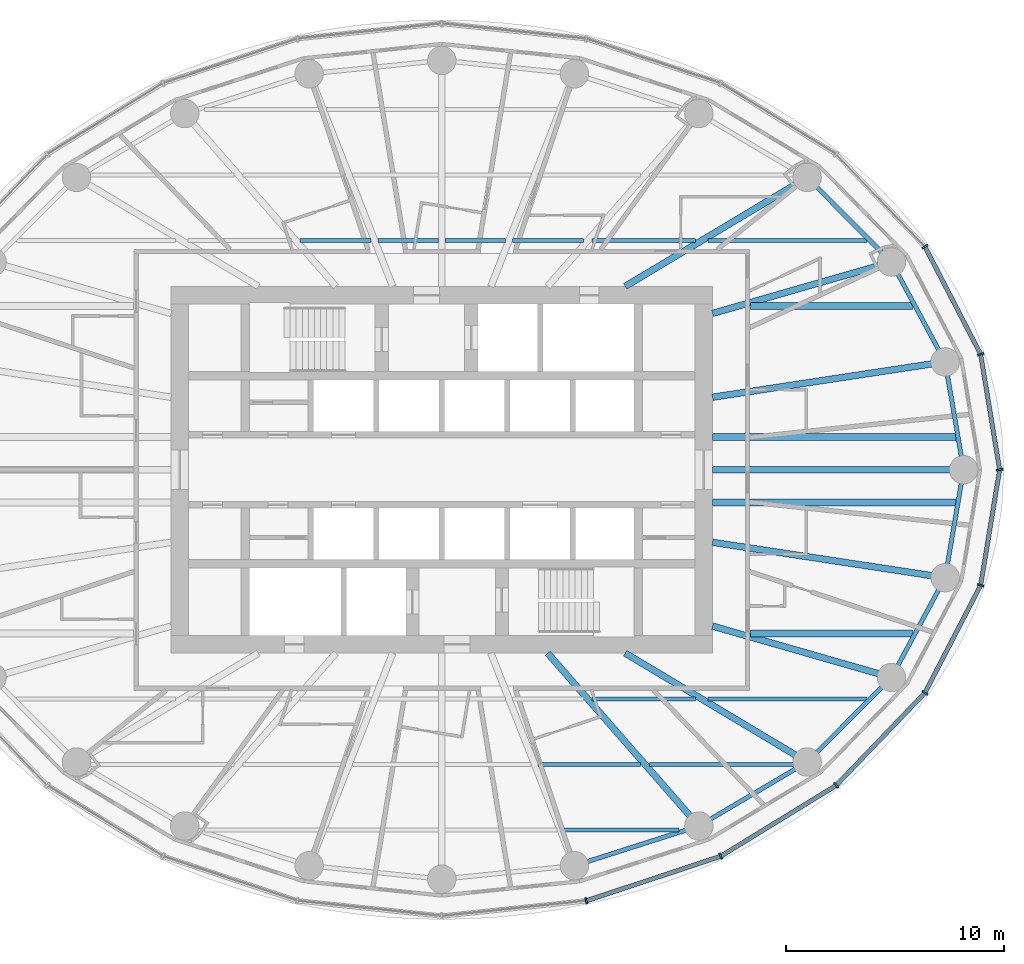
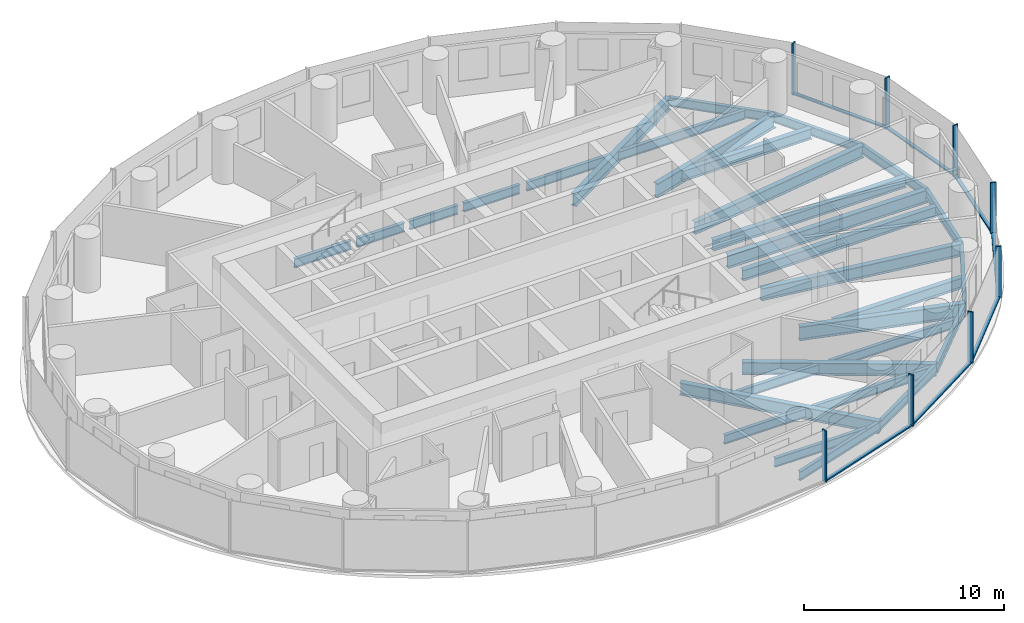
# One storey, part 3 of 13: 31 beams, 15 members, 2 elements without a shape of their own.
"""IFC4 building model written with IfcOpenShell, lengths in metres."""

from ifc_helpers import new_model, si_unit, direction, frame, origin, origin_2d, place, context, subcontext, project, spatial, rectangle, i_section, extrude, material, material_profile, profile_set, type_object, element, aggregate, save


model = new_model("IFC4")

# Units and contexts
model_context = context("Model", 3, precision=1e-05, world=origin(), true_north=direction((0.0, 1.0)))
body_context = subcontext(model_context, "Body", "Model", "MODEL_VIEW")
ifc_project = project(units=[si_unit("LENGTHUNIT", "METRE"), si_unit("AREAUNIT", "SQUARE_METRE"), si_unit("VOLUMEUNIT", "CUBIC_METRE"), si_unit("PLANEANGLEUNIT", "RADIAN"), si_unit("MASSUNIT", "GRAM", prefix="KILO")], contexts=[model_context])

# Site, building, storey
site_placement = place(None, origin())
site = spatial("IfcSite", under=ifc_project, at=site_placement, CompositionType="ELEMENT")
building_placement = place(site_placement, origin())
building = spatial("IfcBuilding", under=site, at=building_placement, Name="Hankou Lantern Tower", CompositionType="ELEMENT")
storey_placement = place(building_placement, frame((0.0, 0.0, 118.800048828125)))
storey = spatial("IfcBuildingStorey", under=building, at=storey_placement, Name="L30", CompositionType="ELEMENT", Elevation=118.800048828125)

# Beams
ifc_material_1 = material(Name="Steel Q355B", Category="steel")
ifc_material_profile_1 = material_profile(ifc_material_1, i_section(OverallWidth=0.199951171875, OverallDepth=0.550048828125, WebThickness=0.010009765625, FlangeThickness=0.01611328125, FilletRadius=0.012939453125, at=origin_2d()), Name="HN550x200x10x16")
ifc_profile_set_1 = profile_set([ifc_material_profile_1], Name="Steel Q355B")
beam_type_1 = type_object("IfcBeamType", Name="EB6 RING BEAM HN550x200x10x16", PredefinedType="SPANDREL", material=ifc_profile_set_1)
beam_1_placement = place(storey_placement, frame((23.89990234375, 0.0, -0.455078125), z_axis=(-0.168527258545, 0.985696993567, 0.0), x_axis=(-0.985696993567, -0.168527258545, 0.0)))
element("IfcBeam", 1, at=beam_1_placement, inside=storey, type_object=beam_type_1, Name="Ring beam R01-R02 L30", PredefinedType="SPANDREL", context=body_context, shape_type="SweptSolid", body=[
    extrude(i_section(OverallWidth=0.199951171875, OverallDepth=0.550048828125, WebThickness=0.010009765625, FlangeThickness=0.01611328125, FilletRadius=0.012939453125, at=origin_2d()), origin(), (0.0, 0.0, 1.0), 5.013916015625),
])
beam_2_placement = place(storey_placement, frame((23.054931640625, 4.942138671875, -0.455078125), z_axis=(-0.473824901673, 0.880619079145, 0.0), x_axis=(-0.880619079145, -0.473824901673, 0.0)))
element("IfcBeam", 2, at=beam_2_placement, inside=storey, type_object=beam_type_1, Name="Ring beam R02-R03 L30", PredefinedType="SPANDREL", context=body_context, shape_type="SweptSolid", body=[
    extrude(i_section(OverallWidth=0.199951171875, OverallDepth=0.550048828125, WebThickness=0.010009765625, FlangeThickness=0.01611328125, FilletRadius=0.012939453125, at=origin_2d()), origin(), (0.0, 0.0, 1.0), 5.190185546875),
])
beam_3_placement = place(storey_placement, frame((20.595703125, 9.5126953125, -0.455078125), z_axis=(-0.705945468625, 0.708266189599, 0.0), x_axis=(-0.708266189599, -0.705945468625, 0.0)))
element("IfcBeam", 3, at=beam_3_placement, inside=storey, type_object=beam_type_1, Name="Ring beam R03-R04 L30", PredefinedType="SPANDREL", context=body_context, shape_type="SweptSolid", body=[
    extrude(i_section(OverallWidth=0.199951171875, OverallDepth=0.550048828125, WebThickness=0.010009765625, FlangeThickness=0.01611328125, FilletRadius=0.012939453125, at=origin_2d()), origin(), (0.0, 0.0, 1.0), 5.470458984375),
])
beam_4_placement = place(storey_placement, frame((6.073974609375, -18.134521484375, -0.455078125), z_axis=(0.952731090451, 0.303814860215, 0.0), x_axis=(-0.303814860215, 0.952731090451, 0.0)))
element("IfcBeam", 4, at=beam_4_placement, inside=storey, type_object=beam_type_1, Name="Ring beam R20-R21 L30", PredefinedType="SPANDREL", context=body_context, shape_type="SweptSolid", body=[
    extrude(i_section(OverallWidth=0.199951171875, OverallDepth=0.550048828125, WebThickness=0.010009765625, FlangeThickness=0.01611328125, FilletRadius=0.012939453125, at=origin_2d()), origin(), (0.0, 0.0, 1.0), 5.984375),
])
beam_5_placement = place(storey_placement, frame((11.775390625, -16.31640625, -0.455078125), z_axis=(0.860988974188, 0.508623619513, 0.0), x_axis=(-0.508623619513, 0.860988974188, 0.0)))
element("IfcBeam", 5, at=beam_5_placement, inside=storey, type_object=beam_type_1, Name="Ring beam R21-R22 L30", PredefinedType="SPANDREL", context=body_context, shape_type="SweptSolid", body=[
    extrude(i_section(OverallWidth=0.199951171875, OverallDepth=0.550048828125, WebThickness=0.010009765625, FlangeThickness=0.01611328125, FilletRadius=0.012939453125, at=origin_2d()), origin(), (0.0, 0.0, 1.0), 5.759033203125),
])
beam_6_placement = place(storey_placement, frame((16.73388671875, -13.38720703125, -0.455078125), z_axis=(0.705945468625, 0.708266189599, 0.0), x_axis=(-0.708266189599, 0.705945468625, 0.0)))
element("IfcBeam", 6, at=beam_6_placement, inside=storey, type_object=beam_type_1, Name="Ring beam R22-R23 L30", PredefinedType="SPANDREL", context=body_context, shape_type="SweptSolid", body=[
    extrude(i_section(OverallWidth=0.199951171875, OverallDepth=0.550048828125, WebThickness=0.010009765625, FlangeThickness=0.01611328125, FilletRadius=0.012939453125, at=origin_2d()), origin(), (0.0, 0.0, 1.0), 5.470458984375),
])
beam_7_placement = place(storey_placement, frame((20.595703125, -9.5126953125, -0.455078125), z_axis=(0.473824901673, 0.880619079145, 0.0), x_axis=(-0.880619079145, 0.473824901673, 0.0)))
element("IfcBeam", 7, at=beam_7_placement, inside=storey, type_object=beam_type_1, Name="Ring beam R23-R24 L30", PredefinedType="SPANDREL", context=body_context, shape_type="SweptSolid", body=[
    extrude(i_section(OverallWidth=0.199951171875, OverallDepth=0.550048828125, WebThickness=0.010009765625, FlangeThickness=0.01611328125, FilletRadius=0.012939453125, at=origin_2d()), origin(), (0.0, 0.0, 1.0), 5.190185546875),
])
beam_8_placement = place(storey_placement, frame((23.054931640625, -4.942138671875, -0.455078125), z_axis=(0.168527258545, 0.985696993567, 0.0), x_axis=(-0.985696993567, 0.168527258545, 0.0)))
element("IfcBeam", 8, at=beam_8_placement, inside=storey, type_object=beam_type_1, Name="Ring beam R24-R01 L30", PredefinedType="SPANDREL", context=body_context, shape_type="SweptSolid", body=[
    extrude(i_section(OverallWidth=0.199951171875, OverallDepth=0.550048828125, WebThickness=0.010009765625, FlangeThickness=0.01611328125, FilletRadius=0.012939453125, at=origin_2d()), origin(), (0.0, 0.0, 1.0), 5.013916015625),
])

# Curtain wall, members
ifc_material_2 = material(Name="Glass, dark grey tinted laminated", Category="glass")
curtain_wall_type = type_object("IfcCurtainWallType", Name="CWB OUTER SKIN MID-RISE", PredefinedType="USERDEFINED", material=ifc_material_2)
curtain_wall_1_placement = place(storey_placement, origin())
curtain_wall_1 = element("IfcCurtainWall", 9, at=curtain_wall_1_placement, inside=storey, type_object=curtain_wall_type, Name="CWB L30 OS1", ObjectType="OUTER SKIN MID-RISE", PredefinedType="USERDEFINED")
ifc_material_3 = material(Name="Aluminium, black anodised", Category="aluminium")
ifc_material_profile_2 = material_profile(ifc_material_3, rectangle(XDim=0.080078125, YDim=0.300048828125, at=origin_2d()), Name="MU1 80X300")
ifc_profile_set_2 = profile_set([ifc_material_profile_2], Name="Aluminium, black anodised")
member_type_1 = type_object("IfcMemberType", Name="MU1 OUTER SKIN MULLION 80X300", PredefinedType="MULLION", material=ifc_profile_set_2)
member_1_placement = place(storey_placement, frame((25.550048828125, 0.0, 0.0), z_axis=(0.0, 0.0, 1.0), x_axis=(-0.162381515188, 0.986728049427, 0.0)))
member_1 = element("IfcMember", 10, at=member_1_placement, type_object=member_type_1, Name="CWB mullion 1", PredefinedType="MULLION", context=body_context, shape_type="SweptSolid", body=[
    extrude(rectangle(XDim=0.080078125, YDim=0.300048828125, at=origin_2d()), origin(), (0.0, 0.0, 1.0), 3.119873046875),
])
member_2_placement = place(storey_placement, frame((24.679443359375, 5.290283203125, 0.0), z_axis=(0.0, 0.0, 1.0), x_axis=(-0.317595577365, 0.94822626479, 0.0)))
member_2 = element("IfcMember", 11, at=member_2_placement, type_object=member_type_1, Name="CWB mullion 2", PredefinedType="MULLION", context=body_context, shape_type="SweptSolid", body=[
    extrude(rectangle(XDim=0.080078125, YDim=0.300048828125, at=origin_2d()), origin(), (0.0, 0.0, 1.0), 3.119873046875),
])
member_3_placement = place(storey_placement, frame((22.126953125, 10.219970703125, 0.0), z_axis=(0.0, 0.0, 1.0), x_axis=(-0.585205735974, 0.810884854084, 0.0)))
member_3 = element("IfcMember", 12, at=member_3_placement, type_object=member_type_1, Name="CWB mullion 3", PredefinedType="MULLION", context=body_context, shape_type="SweptSolid", body=[
    extrude(rectangle(XDim=0.080078125, YDim=0.300048828125, at=origin_2d()), origin(), (0.0, 0.0, 1.0), 3.119873046875),
])

curtain_wall_2_placement = place(storey_placement, origin())
curtain_wall_2 = element("IfcCurtainWall", 13, at=curtain_wall_2_placement, inside=storey, type_object=curtain_wall_type, Name="CWB L30 OS4", ObjectType="OUTER SKIN MID-RISE", PredefinedType="USERDEFINED")
member_4_placement = place(storey_placement, frame((6.61279296875, -19.743408203125, 0.0), z_axis=(0.0, 0.0, 1.0), x_axis=(0.977787659625, 0.209597931016, 0.0)))
member_4 = element("IfcMember", 14, at=member_4_placement, type_object=member_type_1, Name="CWB mullion 2", PredefinedType="MULLION", context=body_context, shape_type="SweptSolid", body=[
    extrude(rectangle(XDim=0.080078125, YDim=0.300048828125, at=origin_2d()), origin(), (0.0, 0.0, 1.0), 3.119873046875),
])
member_5_placement = place(storey_placement, frame((12.77490234375, -17.70166015625, 0.0), z_axis=(0.0, 0.0, 1.0), x_axis=(0.907841299004, 0.419313934686, 0.0)))
member_5 = element("IfcMember", 15, at=member_5_placement, type_object=member_type_1, Name="CWB mullion 3", PredefinedType="MULLION", context=body_context, shape_type="SweptSolid", body=[
    extrude(rectangle(XDim=0.080078125, YDim=0.300048828125, at=origin_2d()), origin(), (0.0, 0.0, 1.0), 3.119873046875),
])
member_6_placement = place(storey_placement, frame((18.066650390625, -14.453369140625, 0.0), z_axis=(0.0, 0.0, 1.0), x_axis=(0.780868809444, 0.624695047553, 0.0)))
member_6 = element("IfcMember", 16, at=member_6_placement, type_object=member_type_1, Name="CWB mullion 4", PredefinedType="MULLION", context=body_context, shape_type="SweptSolid", body=[
    extrude(rectangle(XDim=0.080078125, YDim=0.300048828125, at=origin_2d()), origin(), (0.0, 0.0, 1.0), 3.119873046875),
])
member_7_placement = place(storey_placement, frame((22.126953125, -10.219970703125, 0.0), z_axis=(0.0, 0.0, 1.0), x_axis=(0.585205735974, 0.810884854084, 0.0)))
member_7 = element("IfcMember", 17, at=member_7_placement, type_object=member_type_1, Name="CWB mullion 5", PredefinedType="MULLION", context=body_context, shape_type="SweptSolid", body=[
    extrude(rectangle(XDim=0.080078125, YDim=0.300048828125, at=origin_2d()), origin(), (0.0, 0.0, 1.0), 3.119873046875),
])
member_8_placement = place(storey_placement, frame((24.679443359375, -5.290283203125, 0.0), z_axis=(0.0, 0.0, 1.0), x_axis=(0.317595577365, 0.94822626479, 0.0)))
member_8 = element("IfcMember", 18, at=member_8_placement, type_object=member_type_1, Name="CWB mullion 6", PredefinedType="MULLION", context=body_context, shape_type="SweptSolid", body=[
    extrude(rectangle(XDim=0.080078125, YDim=0.300048828125, at=origin_2d()), origin(), (0.0, 0.0, 1.0), 3.119873046875),
])

# Beams
ifc_material_4 = material(Name="Steel Q355B", Category="steel")
ifc_material_profile_3 = material_profile(ifc_material_4, i_section(OverallWidth=0.300048828125, OverallDepth=0.75, WebThickness=0.012939453125, FlangeThickness=0.02392578125, FilletRadius=0.01806640625, at=origin_2d()), Name="HN750x300x13x24")
ifc_profile_set_3 = profile_set([ifc_material_profile_3], Name="Steel Q355B")
beam_type_2 = type_object("IfcBeamType", Name="RB10 RADIAL BEAM HN750x300x13x24", PredefinedType="BEAM", material=ifc_profile_set_3)
beam_9_placement = place(storey_placement, frame((12.39990234375, 3.322509765625, -0.554931640625), z_axis=(0.988643506875, 0.150279793429, 0.0), x_axis=(-0.150279793429, 0.988643506875, 0.0)))
element("IfcBeam", 19, at=beam_9_placement, inside=storey, type_object=beam_type_2, Name="Radial beam R02 L30", PredefinedType="BEAM", context=body_context, shape_type="SweptSolid", body=[
    extrude(i_section(OverallWidth=0.300048828125, OverallDepth=0.75, WebThickness=0.012939453125, FlangeThickness=0.02392578125, FilletRadius=0.01806640625, at=origin_2d()), origin(), (0.0, 0.0, 1.0), 10.77734375),
])
beam_10_placement = place(storey_placement, frame((8.39990234375, 8.39990234375, -0.554931640625), z_axis=(0.858086776551, 0.513504706802, 0.0), x_axis=(-0.513504706802, 0.858086776551, 0.0)))
element("IfcBeam", 20, at=beam_10_placement, inside=storey, type_object=beam_type_2, Name="Radial beam R04 L30", PredefinedType="BEAM", context=body_context, shape_type="SweptSolid", body=[
    extrude(i_section(OverallWidth=0.300048828125, OverallDepth=0.75, WebThickness=0.012939453125, FlangeThickness=0.02392578125, FilletRadius=0.01806640625, at=origin_2d()), origin(), (0.0, 0.0, 1.0), 9.71240234375),
])
beam_11_placement = place(storey_placement, frame((4.849853515625, -8.39990234375, -0.554931640625), z_axis=(0.658429014446, -0.752642832249, 0.0), x_axis=(0.752642832249, 0.658429014446, 0.0)))
element("IfcBeam", 21, at=beam_11_placement, inside=storey, type_object=beam_type_2, Name="Radial beam R21 L30", PredefinedType="BEAM", context=body_context, shape_type="SweptSolid", body=[
    extrude(i_section(OverallWidth=0.300048828125, OverallDepth=0.75, WebThickness=0.012939453125, FlangeThickness=0.02392578125, FilletRadius=0.01806640625, at=origin_2d()), origin(), (0.0, 0.0, 1.0), 10.518310546875),
])
beam_12_placement = place(storey_placement, frame((8.39990234375, -8.39990234375, -0.554931640625), z_axis=(0.858086776551, -0.513504706802, 0.0), x_axis=(0.513504706802, 0.858086776551, 0.0)))
element("IfcBeam", 22, at=beam_12_placement, inside=storey, type_object=beam_type_2, Name="Radial beam R22 L30", PredefinedType="BEAM", context=body_context, shape_type="SweptSolid", body=[
    extrude(i_section(OverallWidth=0.300048828125, OverallDepth=0.75, WebThickness=0.012939453125, FlangeThickness=0.02392578125, FilletRadius=0.01806640625, at=origin_2d()), origin(), (0.0, 0.0, 1.0), 9.71240234375),
])
beam_13_placement = place(storey_placement, frame((12.39990234375, -3.322509765625, -0.554931640625), z_axis=(0.988643506875, -0.150279793429, 0.0), x_axis=(0.150279793429, 0.988643506875, 0.0)))
element("IfcBeam", 23, at=beam_13_placement, inside=storey, type_object=beam_type_2, Name="Radial beam R24 L30", PredefinedType="BEAM", context=body_context, shape_type="SweptSolid", body=[
    extrude(i_section(OverallWidth=0.300048828125, OverallDepth=0.75, WebThickness=0.012939453125, FlangeThickness=0.02392578125, FilletRadius=0.01806640625, at=origin_2d()), origin(), (0.0, 0.0, 1.0), 10.77734375),
])
ifc_material_5 = material(Name="Steel Q355B", Category="steel")
ifc_material_profile_4 = material_profile(ifc_material_5, i_section(OverallWidth=0.300048828125, OverallDepth=0.800048828125, WebThickness=0.013916015625, FlangeThickness=0.02587890625, FilletRadius=0.01806640625, at=origin_2d()), Name="HN800x300x14x26")
ifc_profile_set_4 = profile_set([ifc_material_profile_4], Name="Steel Q355B")
beam_type_3 = type_object("IfcBeamType", Name="RB11 RADIAL BEAM HN800x300x14x26", PredefinedType="BEAM", material=ifc_profile_set_4)
beam_14_placement = place(storey_placement, frame((12.39990234375, 0.0, -0.580078125), z_axis=(1.0, 0.0, 0.0), x_axis=(0.0, 1.0, 0.0)))
element("IfcBeam", 24, at=beam_14_placement, inside=storey, type_object=beam_type_3, Name="Radial beam R01 L30", PredefinedType="BEAM", context=body_context, shape_type="SweptSolid", body=[
    extrude(i_section(OverallWidth=0.300048828125, OverallDepth=0.800048828125, WebThickness=0.013916015625, FlangeThickness=0.02587890625, FilletRadius=0.01806640625, at=origin_2d()), origin(), (0.0, 0.0, 1.0), 11.5),
])
ifc_material_6 = material(Name="Steel Q355B", Category="steel")
ifc_material_profile_5 = material_profile(ifc_material_6, i_section(OverallWidth=0.300048828125, OverallDepth=0.85009765625, WebThickness=0.01611328125, FlangeThickness=0.027099609375, FilletRadius=0.01806640625, at=origin_2d()), Name="HN850x300x16x27")
ifc_profile_set_5 = profile_set([ifc_material_profile_5], Name="Steel Q355B")
beam_type_4 = type_object("IfcBeamType", Name="RB12 RADIAL BEAM HN850x300x16x27", PredefinedType="BEAM", material=ifc_profile_set_5)
for number, where, z_axis, x_axis, name in (
    (25, (12.39990234375, 7.1591796875, -0.60498046875), (0.961155741911, 0.276006593745, 0.0), (-0.276006593745, 0.961155741911, 0.0), "Radial beam R03 L30"),
    (26, (12.39990234375, -7.1591796875, -0.60498046875), (0.961155741911, -0.276006593745, 0.0), (0.276006593745, 0.961155741911, 0.0), "Radial beam R23 L30"),
):
    element("IfcBeam", number, at=place(storey_placement, frame(where, z_axis=z_axis, x_axis=x_axis)), inside=storey, type_object=beam_type_4, Name=name, PredefinedType="BEAM", context=body_context, shape_type="SweptSolid", body=[
        extrude(i_section(OverallWidth=0.300048828125, OverallDepth=0.85009765625, WebThickness=0.01611328125, FlangeThickness=0.027099609375, FilletRadius=0.01806640625, at=origin_2d()), origin(), (0.0, 0.0, 1.0), 8.527099609375),
    ])
ifc_material_7 = material(Name="Steel Q355B", Category="steel")
ifc_material_profile_6 = material_profile(ifc_material_7, i_section(OverallWidth=0.199951171875, OverallDepth=0.550048828125, WebThickness=0.010009765625, FlangeThickness=0.01611328125, FilletRadius=0.012939453125, at=origin_2d()), Name="HN550x200x10x16")
ifc_profile_set_6 = profile_set([ifc_material_profile_6], Name="Steel Q355B")
beam_type_5 = type_object("IfcBeamType", Name="SB6 SECONDARY BEAM HN550x200x10x16", PredefinedType="JOIST", material=ifc_profile_set_6)
beam_15_placement = place(storey_placement, frame((5.59326171875, -16.5, -0.455078125), z_axis=(1.0, 0.0, 0.0), x_axis=(0.0, 1.0, 0.0)))
element("IfcBeam", 27, at=beam_15_placement, inside=storey, type_object=beam_type_5, Name="Floor joist J004 L30", PredefinedType="JOIST", context=body_context, shape_type="SweptSolid", body=[
    extrude(i_section(OverallWidth=0.199951171875, OverallDepth=0.550048828125, WebThickness=0.010009765625, FlangeThickness=0.01611328125, FilletRadius=0.012939453125, at=origin_2d()), origin(), (0.0, 0.0, 1.0), 5.27685546875),
])
beam_16_placement = place(storey_placement, frame((4.4150390625, -13.5, -0.455078125), z_axis=(1.0, 0.0, 0.0), x_axis=(0.0, 1.0, 0.0)))
element("IfcBeam", 28, at=beam_16_placement, inside=storey, type_object=beam_type_5, Name="Floor joist J009 L30", PredefinedType="JOIST", context=body_context, shape_type="SweptSolid", body=[
    extrude(i_section(OverallWidth=0.199951171875, OverallDepth=0.550048828125, WebThickness=0.010009765625, FlangeThickness=0.01611328125, FilletRadius=0.012939453125, at=origin_2d()), origin(), (0.0, 0.0, 1.0), 4.697021484375),
])
beam_17_placement = place(storey_placement, frame((9.5107421875, -13.5, -0.455078125), z_axis=(1.0, 0.0, 0.0), x_axis=(0.0, 1.0, 0.0)))
element("IfcBeam", 29, at=beam_17_placement, inside=storey, type_object=beam_type_5, Name="Floor joist J010 L30", PredefinedType="JOIST", context=body_context, shape_type="SweptSolid", body=[
    extrude(i_section(OverallWidth=0.199951171875, OverallDepth=0.550048828125, WebThickness=0.010009765625, FlangeThickness=0.01611328125, FilletRadius=0.012939453125, at=origin_2d()), origin(), (0.0, 0.0, 1.0), 6.83544921875),
])
beam_18_placement = place(storey_placement, frame((6.88623046875, -10.5, -0.455078125), z_axis=(1.0, 0.0, 0.0), x_axis=(0.0, 1.0, 0.0)))
element("IfcBeam", 30, at=beam_18_placement, inside=storey, type_object=beam_type_5, Name="Floor joist J017 L30", PredefinedType="JOIST", context=body_context, shape_type="SweptSolid", body=[
    extrude(i_section(OverallWidth=0.199951171875, OverallDepth=0.550048828125, WebThickness=0.010009765625, FlangeThickness=0.01611328125, FilletRadius=0.012939453125, at=origin_2d()), origin(), (0.0, 0.0, 1.0), 4.73095703125),
])
beam_19_placement = place(storey_placement, frame((12.201416015625, -10.5, -0.455078125), z_axis=(1.0, 0.0, 0.0), x_axis=(0.0, 1.0, 0.0)))
element("IfcBeam", 31, at=beam_19_placement, inside=storey, type_object=beam_type_5, Name="Floor joist J018 L30", PredefinedType="JOIST", context=body_context, shape_type="SweptSolid", body=[
    extrude(i_section(OverallWidth=0.199951171875, OverallDepth=0.550048828125, WebThickness=0.010009765625, FlangeThickness=0.01611328125, FilletRadius=0.012939453125, at=origin_2d()), origin(), (0.0, 0.0, 1.0), 7.26904296875),
])
beam_20_placement = place(storey_placement, frame((-6.487548828125, 10.5, -0.455078125), z_axis=(1.0, 0.0, 0.0), x_axis=(0.0, 1.0, 0.0)))
element("IfcBeam", 32, at=beam_20_placement, inside=storey, type_object=beam_type_5, Name="Floor joist J037 L30", PredefinedType="JOIST", context=body_context, shape_type="SweptSolid", body=[
    extrude(i_section(OverallWidth=0.199951171875, OverallDepth=0.550048828125, WebThickness=0.010009765625, FlangeThickness=0.01611328125, FilletRadius=0.012939453125, at=origin_2d()), origin(), (0.0, 0.0, 1.0), 3.2509765625),
])
for number, where, z_axis, x_axis, name in (
    (33, (-2.914306640625, 10.5, -0.455078125), (1.0, 0.0, 0.0), (0.0, 1.0, 0.0), "Floor joist J038 L30"),
    (34, (0.14990234375, 10.5, -0.455078125), (1.0, 0.0, 0.0), (0.0, 1.0, 0.0), "Floor joist J039 L30"),
):
    element("IfcBeam", number, at=place(storey_placement, frame(where, z_axis=z_axis, x_axis=x_axis)), inside=storey, type_object=beam_type_5, Name=name, PredefinedType="JOIST", context=body_context, shape_type="SweptSolid", body=[
        extrude(i_section(OverallWidth=0.199951171875, OverallDepth=0.550048828125, WebThickness=0.010009765625, FlangeThickness=0.01611328125, FilletRadius=0.012939453125, at=origin_2d()), origin(), (0.0, 0.0, 1.0), 2.764404296875),
    ])
beam_21_placement = place(storey_placement, frame((3.236572265625, 10.5, -0.455078125), z_axis=(1.0, 0.0, 0.0), x_axis=(0.0, 1.0, 0.0)))
element("IfcBeam", 35, at=beam_21_placement, inside=storey, type_object=beam_type_5, Name="Floor joist J040 L30", PredefinedType="JOIST", context=body_context, shape_type="SweptSolid", body=[
    extrude(i_section(OverallWidth=0.199951171875, OverallDepth=0.550048828125, WebThickness=0.010009765625, FlangeThickness=0.01611328125, FilletRadius=0.012939453125, at=origin_2d()), origin(), (0.0, 0.0, 1.0), 3.2509765625),
])
beam_22_placement = place(storey_placement, frame((6.88623046875, 10.5, -0.455078125), z_axis=(1.0, 0.0, 0.0), x_axis=(0.0, 1.0, 0.0)))
element("IfcBeam", 36, at=beam_22_placement, inside=storey, type_object=beam_type_5, Name="Floor joist J041 L30", PredefinedType="JOIST", context=body_context, shape_type="SweptSolid", body=[
    extrude(i_section(OverallWidth=0.199951171875, OverallDepth=0.550048828125, WebThickness=0.010009765625, FlangeThickness=0.01611328125, FilletRadius=0.012939453125, at=origin_2d()), origin(), (0.0, 0.0, 1.0), 4.73095703125),
])
beam_23_placement = place(storey_placement, frame((12.201416015625, 10.5, -0.455078125), z_axis=(1.0, 0.0, 0.0), x_axis=(0.0, 1.0, 0.0)))
element("IfcBeam", 37, at=beam_23_placement, inside=storey, type_object=beam_type_5, Name="Floor joist J042 L30", PredefinedType="JOIST", context=body_context, shape_type="SweptSolid", body=[
    extrude(i_section(OverallWidth=0.199951171875, OverallDepth=0.550048828125, WebThickness=0.010009765625, FlangeThickness=0.01611328125, FilletRadius=0.012939453125, at=origin_2d()), origin(), (0.0, 0.0, 1.0), 7.26904296875),
])
ifc_material_8 = material(Name="Steel Q355B", Category="steel")
ifc_material_profile_7 = material_profile(ifc_material_8, i_section(OverallWidth=0.300048828125, OverallDepth=0.64990234375, WebThickness=0.010986328125, FlangeThickness=0.01708984375, FilletRadius=0.01806640625, at=origin_2d()), Name="HN650x300x11x17")
ifc_profile_set_7 = profile_set([ifc_material_profile_7], Name="Steel Q355B")
beam_type_6 = type_object("IfcBeamType", Name="SB8 SECONDARY BEAM HN650x300x11x17", PredefinedType="JOIST", material=ifc_profile_set_7)
beam_24_placement = place(storey_placement, frame((14.13037109375, -7.5, -0.505126953125), z_axis=(1.0, 0.0, 0.0), x_axis=(0.0, 1.0, 0.0)))
element("IfcBeam", 38, at=beam_24_placement, inside=storey, type_object=beam_type_6, Name="Floor joist J020 L30", PredefinedType="JOIST", context=body_context, shape_type="SweptSolid", body=[
    extrude(i_section(OverallWidth=0.300048828125, OverallDepth=0.64990234375, WebThickness=0.010986328125, FlangeThickness=0.01708984375, FilletRadius=0.01806640625, at=origin_2d()), origin(), (0.0, 0.0, 1.0), 7.4345703125),
])
for number, where, z_axis, x_axis, name in (
    (39, (12.39990234375, -1.5, -0.505126953125), (1.0, 0.0, 0.0), (0.0, 1.0, 0.0), "Floor joist J026 L30"),
    (40, (12.39990234375, 1.5, -0.505126953125), (1.0, 0.0, 0.0), (0.0, 1.0, 0.0), "Floor joist J028 L30"),
):
    element("IfcBeam", number, at=place(storey_placement, frame(where, z_axis=z_axis, x_axis=x_axis)), inside=storey, type_object=beam_type_6, Name=name, PredefinedType="JOIST", context=body_context, shape_type="SweptSolid", body=[
        extrude(i_section(OverallWidth=0.300048828125, OverallDepth=0.64990234375, WebThickness=0.010986328125, FlangeThickness=0.01708984375, FilletRadius=0.01806640625, at=origin_2d()), origin(), (0.0, 0.0, 1.0), 11.14208984375),
    ])
beam_25_placement = place(storey_placement, frame((14.13037109375, 7.5, -0.505126953125), z_axis=(1.0, 0.0, 0.0), x_axis=(0.0, 1.0, 0.0)))
element("IfcBeam", 41, at=beam_25_placement, inside=storey, type_object=beam_type_6, Name="Floor joist J034 L30", PredefinedType="JOIST", context=body_context, shape_type="SweptSolid", body=[
    extrude(i_section(OverallWidth=0.300048828125, OverallDepth=0.64990234375, WebThickness=0.010986328125, FlangeThickness=0.01708984375, FilletRadius=0.01806640625, at=origin_2d()), origin(), (0.0, 0.0, 1.0), 7.4345703125),
])

# Member
ifc_material_9 = material(Name="Aluminium, black anodised", Category="aluminium")
ifc_material_profile_8 = material_profile(ifc_material_9, rectangle(XDim=0.199951171875, YDim=0.080078125, at=origin_2d()), Name="TR1 200X80")
ifc_profile_set_8 = profile_set([ifc_material_profile_8], Name="Aluminium, black anodised")
member_type_2 = type_object("IfcMemberType", Name="TR1 OUTER SKIN TRANSOM 200X80", PredefinedType="USERDEFINED", material=ifc_profile_set_8)
member_9_placement = place(storey_placement, frame((25.54345703125, 0.03955078125, 0.0400390625), z_axis=(-0.162397124076, 0.986725480614, 0.0), x_axis=(-0.986725480614, -0.162397124076, 0.0)))
member_9 = element("IfcMember", 42, at=member_9_placement, type_object=member_type_2, Name="CWB transom 1", ObjectType="TRANSOM", PredefinedType="USERDEFINED", context=body_context, shape_type="SweptSolid", body=[
    extrude(rectangle(XDim=0.199951171875, YDim=0.080078125, at=origin_2d()), origin(), (0.0, 0.0, 1.0), 5.28125),
])

member_10_placement = place(storey_placement, frame((24.6611328125, 5.32568359375, 0.0400390625), z_axis=(-0.459805240543, 0.888019786249, 0.0), x_axis=(-0.888019786249, -0.459805240543, 0.0)))
member_10 = element("IfcMember", 43, at=member_10_placement, type_object=member_type_2, Name="CWB transom 2", ObjectType="TRANSOM", PredefinedType="USERDEFINED", context=body_context, shape_type="SweptSolid", body=[
    extrude(rectangle(XDim=0.199951171875, YDim=0.080078125, at=origin_2d()), origin(), (0.0, 0.0, 1.0), 5.4716796875),
])

aggregate(curtain_wall_1, [member_1, member_2, member_3, member_9, member_10])

member_11_placement = place(storey_placement, frame((6.65087890625, -19.73095703125, 0.0400390625), z_axis=(0.949237765745, 0.314559476225, 0.0), x_axis=(-0.314559476225, 0.949237765745, 0.0)))
member_11 = element("IfcMember", 44, at=member_11_placement, type_object=member_type_2, Name="CWB transom 2", ObjectType="TRANSOM", PredefinedType="USERDEFINED", context=body_context, shape_type="SweptSolid", body=[
    extrude(rectangle(XDim=0.199951171875, YDim=0.080078125, at=origin_2d()), origin(), (0.0, 0.0, 1.0), 6.41162109375),
])

member_12_placement = place(storey_placement, frame((12.80908203125, -17.6806640625, 0.0400390625), z_axis=(0.852229492169, 0.523168130411, 0.0), x_axis=(-0.523168130411, 0.852229492169, 0.0)))
member_12 = element("IfcMember", 45, at=member_12_placement, type_object=member_type_2, Name="CWB transom 3", ObjectType="TRANSOM", PredefinedType="USERDEFINED", context=body_context, shape_type="SweptSolid", body=[
    extrude(rectangle(XDim=0.199951171875, YDim=0.080078125, at=origin_2d()), origin(), (0.0, 0.0, 1.0), 6.129150390625),
])

member_13_placement = place(storey_placement, frame((18.09423828125, -14.42431640625, 0.0400390625), z_axis=(0.692226977748, 0.721679853729, 0.0), x_axis=(-0.721679853729, 0.692226977748, 0.0)))
member_13 = element("IfcMember", 46, at=member_13_placement, type_object=member_type_2, Name="CWB transom 4", ObjectType="TRANSOM", PredefinedType="USERDEFINED", context=body_context, shape_type="SweptSolid", body=[
    extrude(rectangle(XDim=0.199951171875, YDim=0.080078125, at=origin_2d()), origin(), (0.0, 0.0, 1.0), 5.785888671875),
])

member_14_placement = place(storey_placement, frame((22.145263671875, -10.1845703125, 0.0400390625), z_axis=(0.459805240543, 0.888019786249, 0.0), x_axis=(-0.888019786249, 0.459805240543, 0.0)))
member_14 = element("IfcMember", 47, at=member_14_placement, type_object=member_type_2, Name="CWB transom 5", ObjectType="TRANSOM", PredefinedType="USERDEFINED", context=body_context, shape_type="SweptSolid", body=[
    extrude(rectangle(XDim=0.199951171875, YDim=0.080078125, at=origin_2d()), origin(), (0.0, 0.0, 1.0), 5.4716796875),
])

member_15_placement = place(storey_placement, frame((24.685791015625, -5.250732421875, 0.0400390625), z_axis=(0.162397124076, 0.986725480614, 0.0), x_axis=(-0.986725480614, 0.162397124076, 0.0)))
member_15 = element("IfcMember", 48, at=member_15_placement, type_object=member_type_2, Name="CWB transom 6", ObjectType="TRANSOM", PredefinedType="USERDEFINED", context=body_context, shape_type="SweptSolid", body=[
    extrude(rectangle(XDim=0.199951171875, YDim=0.080078125, at=origin_2d()), origin(), (0.0, 0.0, 1.0), 5.28125),
])

aggregate(curtain_wall_2, [member_4, member_5, member_6, member_7, member_8, member_11, member_12, member_13, member_14, member_15])

save(model, "model.ifc")
